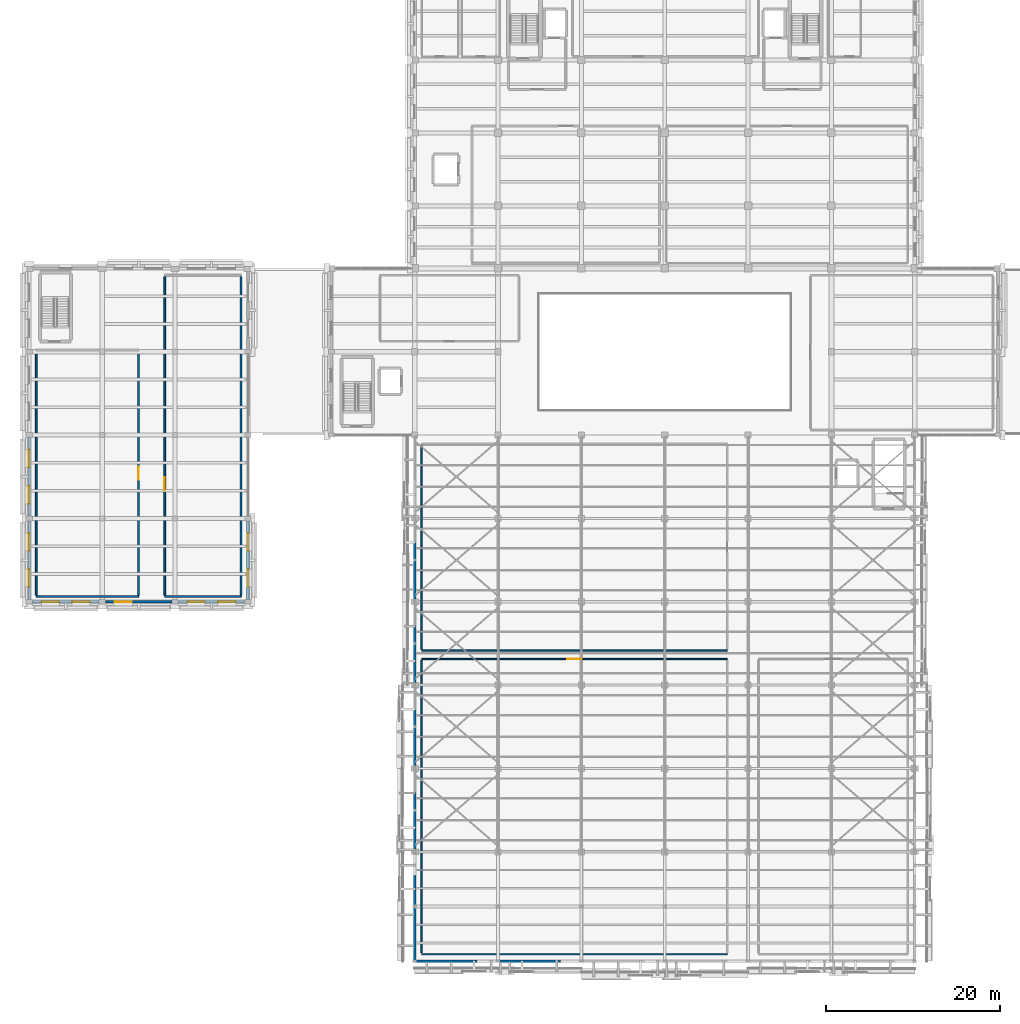
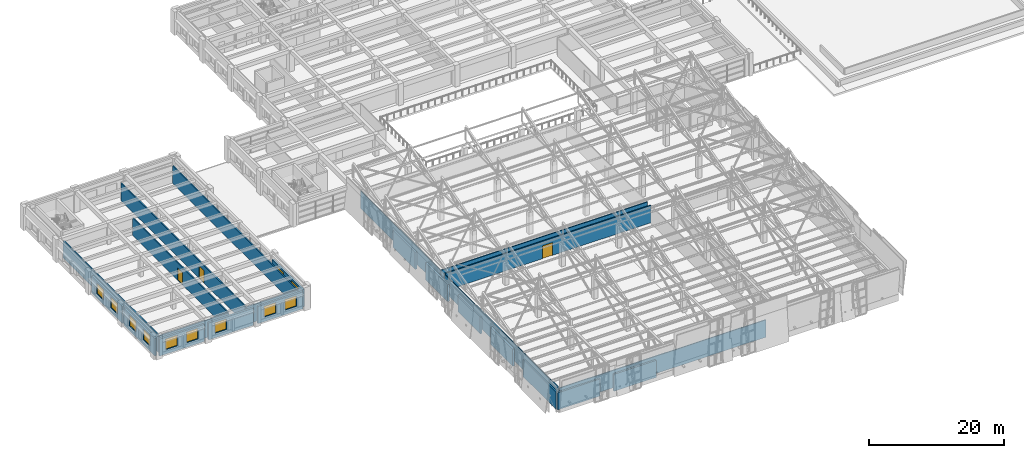
# One storey, part 55 of 71: 24 walls, 11 windows, 3 doors, 14 openings.
"""IFC4 building model written with IfcOpenShell, lengths in metres."""

from ifc_helpers import new_model, si_unit, direction, frame, frame_2d, origin, place, context, subcontext, project, spatial, rectangle, extrude, material, layer, layer_set, type_object, element, fill, save


model = new_model("IFC4")

# Units and contexts
model_context = context("Model", 3, precision=1e-05, world=origin(), true_north=direction((0.0, 1.0)))
body_context = subcontext(model_context, "Body", "Model", "MODEL_VIEW")
ifc_project = project(units=[si_unit("LENGTHUNIT", "METRE"), si_unit("AREAUNIT", "SQUARE_METRE"), si_unit("VOLUMEUNIT", "CUBIC_METRE"), si_unit("PLANEANGLEUNIT", "RADIAN"), si_unit("MASSUNIT", "GRAM", prefix="KILO")], contexts=[model_context])

# Site, building, storey
site_placement = place(None, origin())
site = spatial("IfcSite", under=ifc_project, at=site_placement, CompositionType="ELEMENT")
building_placement = place(site_placement, origin())
building = spatial("IfcBuilding", under=site, at=building_placement, Name="Bempovik Park Faculty of Sciences", CompositionType="ELEMENT")
storey_placement = place(building_placement, frame((0.0, 0.0, 14.10009765625)))
storey = spatial("IfcBuildingStorey", under=building, at=storey_placement, Name="L03", CompositionType="ELEMENT", Elevation=14.10009765625)

# Walls
ifc_material_1 = material(Name="Precast concrete C40/50", Category="concrete")
ifc_layer_1 = layer(ifc_material_1, 0.280029296875)
ifc_layer_set_1 = layer_set([ifc_layer_1], Name="Precast concrete C40/50")
wall_type_1 = type_object("IfcWallType", Name="W-25 Wall 280mm", PredefinedType="SOLIDWALL", material=ifc_layer_set_1)
wall_1_placement = place(storey_placement, frame((60.001953125, 7.199951171875, 0.0), z_axis=(0.0, 0.0, 1.0), x_axis=(1.0, 0.0, 0.0)))
element("IfcWall", 1, at=wall_1_placement, inside=storey, type_object=wall_type_1, Name="L03 Crystal Backup Wall EW-CRYS-L03-8826", PredefinedType="SOLIDWALL", context=body_context, shape_type="SweptSolid", body=[
    extrude(rectangle(XDim=7.192138671875, YDim=0.280029296875, at=frame_2d((3.59619140625, 0.0))), origin(), (0.0, 0.0, 1.0), 3.079833984375),
])
wall_2_placement = place(storey_placement, frame((69.60205078125, 7.199951171875, 0.0), z_axis=(0.0, 0.0, 1.0), x_axis=(1.0, 0.0, 0.0)))
element("IfcWall", 2, at=wall_2_placement, inside=storey, type_object=wall_type_1, Name="L03 Crystal Backup Wall EW-CRYS-L03-8851", PredefinedType="SOLIDWALL", context=body_context, shape_type="SweptSolid", body=[
    extrude(rectangle(XDim=7.19189453125, YDim=0.280029296875, at=frame_2d((3.595947265625, 0.0))), origin(), (0.0, 0.0, 1.0), 3.079833984375),
])
wall_3_placement = place(storey_placement, frame((60.0, 7.344970703125, 0.0), z_axis=(0.0, 0.0, 1.0), x_axis=(0.0, 1.0, 0.0)))
element("IfcWall", 3, at=wall_3_placement, inside=storey, type_object=wall_type_1, Name="L03 Crystal Backup Wall EW-CRYS-L03-8976", PredefinedType="SOLIDWALL", context=body_context, shape_type="SweptSolid", body=[
    extrude(rectangle(XDim=9.72412109375, YDim=0.280029296875, at=frame_2d((4.862060546875, 0.0))), origin(), (0.0, 0.0, 1.0), 3.079833984375),
])
for number, where, z_axis, x_axis, name in (
    (4, (60.0, 20.126953125, 0.0), (0.0, 0.0, 1.0), (0.0, 1.0, 0.0), "L03 Crystal Backup Wall EW-CRYS-L03-9001"),
    (5, (60.0, 29.72705078125, 0.0), (0.0, 0.0, 1.0), (0.0, 1.0, 0.0), "L03 Crystal Backup Wall EW-CRYS-L03-9026"),
    (6, (60.0, 39.326904296875, 0.0), (0.0, 0.0, 1.0), (0.0, 1.0, 0.0), "L03 Crystal Backup Wall EW-CRYS-L03-9051"),
    (7, (60.0, 48.927001953125, 0.0), (0.0, 0.0, 1.0), (0.0, 1.0, 0.0), "L03 Crystal Backup Wall EW-CRYS-L03-9076"),
):
    element("IfcWall", number, at=place(storey_placement, frame(where, z_axis=z_axis, x_axis=x_axis)), inside=storey, type_object=wall_type_1, Name=name, PredefinedType="SOLIDWALL", context=body_context, shape_type="SweptSolid", body=[
        extrude(rectangle(XDim=6.5419921875, YDim=0.280029296875, at=frame_2d((3.27099609375, 0.0))), origin(), (0.0, 0.0, 1.0), 3.079833984375),
    ])
ifc_material_2 = material(Name="Gypsum acoustic stud assembly")
ifc_layer_2 = layer(ifc_material_2, 0.14990234375)
ifc_layer_set_2 = layer_set([ifc_layer_2], Name="Gypsum acoustic stud assembly")
wall_type_2 = type_object("IfcWallType", Name="W-42 Wall 150mm", PredefinedType="PARTITIONING", material=ifc_layer_set_2)
wall_4_placement = place(storey_placement, frame((60.800048828125, 8.0, 0.0), z_axis=(0.0, 0.0, 1.0), x_axis=(1.0, 0.0, 0.0)))
element("IfcWall", 8, at=wall_4_placement, inside=storey, type_object=wall_type_2, Name="L03 North-Light Grand Science Reading Hall Partition South", PredefinedType="PARTITIONING", context=body_context, shape_type="SweptSolid", body=[
    extrude(rectangle(XDim=35.199951171875, YDim=0.14990234375, at=frame_2d((17.60009765625, 0.0))), origin(), (0.0, 0.0, 1.0), 3.14990234375),
])

# Wall, opening, door
wall_5_placement = place(storey_placement, frame((60.800048828125, 42.0, 0.0), z_axis=(0.0, 0.0, 1.0), x_axis=(1.0, 0.0, 0.0)))
wall_5 = element("IfcWall", 9, at=wall_5_placement, inside=storey, type_object=wall_type_2, Name="L03 North-Light Grand Science Reading Hall Partition North", PredefinedType="PARTITIONING", context=body_context, shape_type="SweptSolid", body=[
    extrude(rectangle(XDim=35.199951171875, YDim=0.14990234375, at=frame_2d((17.60009765625, 0.0))), origin(), (0.0, 0.0, 1.0), 3.14990234375),
])
opening_1_placement = place(wall_5_placement, frame((16.75, 0.0, 0.0)))
opening_1 = element("IfcOpeningElement", 10, at=opening_1_placement, cuts=wall_5, Name="Opening D-40", PredefinedType="OPENING", context=body_context, shape_type="SweptSolid", body=[
    extrude(rectangle(XDim=1.699951171875, YDim=2.300048828125, at=frame_2d((0.85009765625, 1.14990234375))), frame((0.0, 0.0849609375, 0.0), z_axis=(0.0, -1.0, 0.0), x_axis=(1.0, 0.0, 0.0)), (0.0, 0.0, 1.0), 0.169921875),
])
ifc_material_3 = material(Name="Anodised architectural bronze")
door_type_1 = type_object("IfcDoorType", Name="D-40 Door 1700x2300", OperationType="NOTDEFINED", PredefinedType="DOOR", material=ifc_material_3)
door_1_placement = place(opening_1_placement, origin())
door_1 = element("IfcDoor", 11, at=door_1_placement, inside=storey, type_object=door_type_1, Name="L03 North-Light Grand Science Reading Hall Door", OperationType="DOUBLE_DOOR_SINGLE_SWING", OverallHeight=2.300048828125, OverallWidth=1.699951171875, PredefinedType="DOOR", context=body_context, shape_type="SweptSolid", body=[
    extrude(rectangle(XDim=1.699951171875, YDim=2.300048828125, at=frame_2d((0.85009765625, 1.14990234375))), frame((0.0, 0.02490234375, 0.0), z_axis=(0.0, -1.0, 0.0), x_axis=(1.0, 0.0, 0.0)), (0.0, 0.0, 1.0), 0.050048828125),
])
fill(opening_1, door_1)

# Walls
wall_6_placement = place(storey_placement, frame((60.800048828125, 8.159912109375, 0.0), z_axis=(0.0, 0.0, 1.0), x_axis=(0.0, 1.0, 0.0)))
element("IfcWall", 12, at=wall_6_placement, inside=storey, type_object=wall_type_2, Name="L03 North-Light Grand Science Reading Hall Partition West", PredefinedType="PARTITIONING", context=body_context, shape_type="SweptSolid", body=[
    extrude(rectangle(XDim=33.68017578125, YDim=0.14990234375, at=frame_2d((16.840087890625, 0.0))), origin(), (0.0, 0.0, 1.0), 3.14990234375),
])
wall_7_placement = place(storey_placement, frame((60.800048828125, 43.0, 0.0), z_axis=(0.0, 0.0, 1.0), x_axis=(1.0, 0.0, 0.0)))
element("IfcWall", 13, at=wall_7_placement, inside=storey, type_object=wall_type_2, Name="L03 Interdisciplinary Research Seminar Hall Partition South", PredefinedType="PARTITIONING", context=body_context, shape_type="SweptSolid", body=[
    extrude(rectangle(XDim=35.199951171875, YDim=0.14990234375, at=frame_2d((17.60009765625, 0.0))), origin(), (0.0, 0.0, 1.0), 3.14990234375),
])
wall_8_placement = place(storey_placement, frame((60.800048828125, 43.159912109375, 0.0), z_axis=(0.0, 0.0, 1.0), x_axis=(0.0, 1.0, 0.0)))
element("IfcWall", 14, at=wall_8_placement, inside=storey, type_object=wall_type_2, Name="L03 Interdisciplinary Research Seminar Hall Partition West", PredefinedType="PARTITIONING", context=body_context, shape_type="SweptSolid", body=[
    extrude(rectangle(XDim=23.47998046875, YDim=0.14990234375, at=frame_2d((11.739990234375, 0.0))), origin(), (0.0, 0.0, 1.0), 3.14990234375),
])

# Wall, openings, windows
ifc_layer_3 = layer(ifc_material_1, 0.320068359375)
ifc_layer_set_3 = layer_set([ifc_layer_3], Name="Precast concrete C40/50")
wall_type_3 = type_object("IfcWallType", Name="W-56 Wall 320mm", PredefinedType="SOLIDWALL", material=ifc_layer_set_3)
wall_9_placement = place(storey_placement, frame((40.800048828125, 48.8720703125, 0.0), z_axis=(0.0, 0.0, 1.0), x_axis=(0.0, 1.0, 0.0)))
wall_9 = element("IfcWall", 15, at=wall_9_placement, inside=storey, type_object=wall_type_3, Name="L03 Classical Precast Facade Wall EW-L03-9157", PredefinedType="SOLIDWALL", context=body_context, shape_type="SweptSolid", body=[
    extrude(rectangle(XDim=9.055908203125, YDim=0.320068359375, at=frame_2d((4.52783203125, 0.0))), origin(), (0.0, 0.0, 1.0), 3.079833984375),
])
opening_2_placement = place(wall_9_placement, frame((1.445068359375, 0.0, 0.85009765625)))
opening_2 = element("IfcOpeningElement", 16, at=opening_2_placement, cuts=wall_9, Name="Opening WN-68", PredefinedType="OPENING", context=body_context, shape_type="SweptSolid", body=[
    extrude(rectangle(XDim=2.0, YDim=1.89990234375, at=frame_2d((1.0, 0.949951171875))), frame((0.0, 0.169921875, 0.0), z_axis=(0.0, -1.0, 0.0), x_axis=(1.0, 0.0, 0.0)), (0.0, 0.0, 1.0), 0.340087890625),
])
opening_3_placement = place(wall_9_placement, frame((5.61083984375, 0.0, 0.85009765625)))
opening_3 = element("IfcOpeningElement", 17, at=opening_3_placement, cuts=wall_9, Name="Opening WN-68", PredefinedType="OPENING", context=body_context, shape_type="SweptSolid", body=[
    extrude(rectangle(XDim=2.0, YDim=1.89990234375, at=frame_2d((1.0, 0.949951171875))), frame((0.0, 0.169921875, 0.0), z_axis=(0.0, -1.0, 0.0), x_axis=(1.0, 0.0, 0.0)), (0.0, 0.0, 1.0), 0.340087890625),
])
ifc_material_4 = material(Name="Tempered laminated low-E glass", Category="glass")
window_type = type_object("IfcWindowType", Name="WN-68 Window 2000x1900", PartitioningType="SINGLE_PANEL", PredefinedType="WINDOW", material=ifc_material_4)
window_1_placement = place(opening_2_placement, origin())
window_1 = element("IfcWindow", 18, at=window_1_placement, inside=storey, type_object=window_type, Name="L03 Window EW-L03-9157-1", OverallHeight=1.89990234375, OverallWidth=2.0, PartitioningType="SINGLE_PANEL", PredefinedType="WINDOW", context=body_context, shape_type="SweptSolid", body=[
    extrude(rectangle(XDim=2.0, YDim=1.89990234375, at=frame_2d((1.0, 0.949951171875))), frame((0.0, 0.030029296875, 0.0), z_axis=(0.0, -1.0, 0.0), x_axis=(1.0, 0.0, 0.0)), (0.0, 0.0, 1.0), 0.06005859375),
])
fill(opening_2, window_1)
window_2_placement = place(opening_3_placement, origin())
window_2 = element("IfcWindow", 19, at=window_2_placement, inside=storey, type_object=window_type, Name="L03 Window EW-L03-9157-2", OverallHeight=1.89990234375, OverallWidth=2.0, PartitioningType="SINGLE_PANEL", PredefinedType="WINDOW", context=body_context, shape_type="SweptSolid", body=[
    extrude(rectangle(XDim=2.0, YDim=1.89990234375, at=frame_2d((1.0, 0.949951171875))), frame((0.0, 0.030029296875, 0.0), z_axis=(0.0, -1.0, 0.0), x_axis=(1.0, 0.0, 0.0)), (0.0, 0.0, 1.0), 0.06005859375),
])
fill(opening_3, window_2)

wall_10_placement = place(storey_placement, frame((15.9619140625, 48.60009765625, 0.0), z_axis=(0.0, 0.0, 1.0), x_axis=(1.0, 0.0, 0.0)))
wall_10 = element("IfcWall", 20, at=wall_10_placement, inside=storey, type_object=wall_type_3, Name="L03 Classical Precast Facade Wall EW-L03-9219", PredefinedType="SOLIDWALL", context=body_context, shape_type="SweptSolid", body=[
    extrude(rectangle(XDim=7.676025390625, YDim=0.320068359375, at=frame_2d((3.837890625, 0.0))), origin(), (0.0, 0.0, 1.0), 3.079833984375),
])
opening_4_placement = place(wall_10_placement, frame((1.072509765625, 0.0, 0.85009765625)))
opening_4 = element("IfcOpeningElement", 21, at=opening_4_placement, cuts=wall_10, Name="Opening WN-68", PredefinedType="OPENING", context=body_context, shape_type="SweptSolid", body=[
    extrude(rectangle(XDim=2.0, YDim=1.89990234375, at=frame_2d((1.0, 0.949951171875))), frame((0.0, 0.169921875, 0.0), z_axis=(0.0, -1.0, 0.0), x_axis=(1.0, 0.0, 0.0)), (0.0, 0.0, 1.0), 0.340087890625),
])
opening_5_placement = place(wall_10_placement, frame((4.603515625, 0.0, 0.85009765625)))
opening_5 = element("IfcOpeningElement", 22, at=opening_5_placement, cuts=wall_10, Name="Opening WN-68", PredefinedType="OPENING", context=body_context, shape_type="SweptSolid", body=[
    extrude(rectangle(XDim=2.0, YDim=1.89990234375, at=frame_2d((1.0, 0.949951171875))), frame((0.0, 0.169921875, 0.0), z_axis=(0.0, -1.0, 0.0), x_axis=(1.0, 0.0, 0.0)), (0.0, 0.0, 1.0), 0.340087890625),
])
window_3_placement = place(opening_4_placement, origin())
window_3 = element("IfcWindow", 23, at=window_3_placement, inside=storey, type_object=window_type, Name="L03 Window EW-L03-9219-1", OverallHeight=1.89990234375, OverallWidth=2.0, PartitioningType="SINGLE_PANEL", PredefinedType="WINDOW", context=body_context, shape_type="SweptSolid", body=[
    extrude(rectangle(XDim=2.0, YDim=1.89990234375, at=frame_2d((1.0, 0.949951171875))), frame((0.0, 0.030029296875, 0.0), z_axis=(0.0, -1.0, 0.0), x_axis=(1.0, 0.0, 0.0)), (0.0, 0.0, 1.0), 0.06005859375),
])
fill(opening_4, window_3)
window_4_placement = place(opening_5_placement, origin())
window_4 = element("IfcWindow", 24, at=window_4_placement, inside=storey, type_object=window_type, Name="L03 Window EW-L03-9219-2", OverallHeight=1.89990234375, OverallWidth=2.0, PartitioningType="SINGLE_PANEL", PredefinedType="WINDOW", context=body_context, shape_type="SweptSolid", body=[
    extrude(rectangle(XDim=2.0, YDim=1.89990234375, at=frame_2d((1.0, 0.949951171875))), frame((0.0, 0.030029296875, 0.0), z_axis=(0.0, -1.0, 0.0), x_axis=(1.0, 0.0, 0.0)), (0.0, 0.0, 1.0), 0.06005859375),
])
fill(opening_5, window_4)

# Wall, opening, window
wall_11_placement = place(storey_placement, frame((24.362060546875, 48.60009765625, 0.0), z_axis=(0.0, 0.0, 1.0), x_axis=(1.0, 0.0, 0.0)))
wall_11 = element("IfcWall", 25, at=wall_11_placement, inside=storey, type_object=wall_type_3, Name="L03 Classical Precast Facade Wall EW-L03-9232", PredefinedType="SOLIDWALL", context=body_context, shape_type="SweptSolid", body=[
    extrude(rectangle(XDim=7.676025390625, YDim=0.320068359375, at=frame_2d((3.837890625, 0.0))), origin(), (0.0, 0.0, 1.0), 3.079833984375),
])
opening_6_placement = place(wall_11_placement, frame((1.072509765625, 0.0, 0.85009765625)))
opening_6 = element("IfcOpeningElement", 26, at=opening_6_placement, cuts=wall_11, Name="Opening WN-68", PredefinedType="OPENING", context=body_context, shape_type="SweptSolid", body=[
    extrude(rectangle(XDim=2.0, YDim=1.89990234375, at=frame_2d((1.0, 0.949951171875))), frame((0.0, 0.169921875, 0.0), z_axis=(0.0, -1.0, 0.0), x_axis=(1.0, 0.0, 0.0)), (0.0, 0.0, 1.0), 0.340087890625),
])
window_5_placement = place(opening_6_placement, origin())
window_5 = element("IfcWindow", 27, at=window_5_placement, inside=storey, type_object=window_type, Name="L03 Window EW-L03-9232-1", OverallHeight=1.89990234375, OverallWidth=2.0, PartitioningType="SINGLE_PANEL", PredefinedType="WINDOW", context=body_context, shape_type="SweptSolid", body=[
    extrude(rectangle(XDim=2.0, YDim=1.89990234375, at=frame_2d((1.0, 0.949951171875))), frame((0.0, 0.030029296875, 0.0), z_axis=(0.0, -1.0, 0.0), x_axis=(1.0, 0.0, 0.0)), (0.0, 0.0, 1.0), 0.06005859375),
])
fill(opening_6, window_5)

# Wall, openings, windows
wall_12_placement = place(storey_placement, frame((32.761962890625, 48.60009765625, 0.0), z_axis=(0.0, 0.0, 1.0), x_axis=(1.0, 0.0, 0.0)))
wall_12 = element("IfcWall", 28, at=wall_12_placement, inside=storey, type_object=wall_type_3, Name="L03 Classical Precast Facade Wall EW-L03-9242", PredefinedType="SOLIDWALL", context=body_context, shape_type="SweptSolid", body=[
    extrude(rectangle(XDim=7.676025390625, YDim=0.320068359375, at=frame_2d((3.837890625, 0.0))), origin(), (0.0, 0.0, 1.0), 3.079833984375),
])
opening_7_placement = place(wall_12_placement, frame((1.072509765625, 0.0, 0.85009765625)))
opening_7 = element("IfcOpeningElement", 29, at=opening_7_placement, cuts=wall_12, Name="Opening WN-68", PredefinedType="OPENING", context=body_context, shape_type="SweptSolid", body=[
    extrude(rectangle(XDim=2.0, YDim=1.89990234375, at=frame_2d((1.0, 0.949951171875))), frame((0.0, 0.169921875, 0.0), z_axis=(0.0, -1.0, 0.0), x_axis=(1.0, 0.0, 0.0)), (0.0, 0.0, 1.0), 0.340087890625),
])
opening_8_placement = place(wall_12_placement, frame((4.603515625, 0.0, 0.85009765625)))
opening_8 = element("IfcOpeningElement", 30, at=opening_8_placement, cuts=wall_12, Name="Opening WN-68", PredefinedType="OPENING", context=body_context, shape_type="SweptSolid", body=[
    extrude(rectangle(XDim=2.0, YDim=1.89990234375, at=frame_2d((1.0, 0.949951171875))), frame((0.0, 0.169921875, 0.0), z_axis=(0.0, -1.0, 0.0), x_axis=(1.0, 0.0, 0.0)), (0.0, 0.0, 1.0), 0.340087890625),
])
window_6_placement = place(opening_7_placement, origin())
window_6 = element("IfcWindow", 31, at=window_6_placement, inside=storey, type_object=window_type, Name="L03 Window EW-L03-9242-1", OverallHeight=1.89990234375, OverallWidth=2.0, PartitioningType="SINGLE_PANEL", PredefinedType="WINDOW", context=body_context, shape_type="SweptSolid", body=[
    extrude(rectangle(XDim=2.0, YDim=1.89990234375, at=frame_2d((1.0, 0.949951171875))), frame((0.0, 0.030029296875, 0.0), z_axis=(0.0, -1.0, 0.0), x_axis=(1.0, 0.0, 0.0)), (0.0, 0.0, 1.0), 0.06005859375),
])
fill(opening_7, window_6)
window_7_placement = place(opening_8_placement, origin())
window_7 = element("IfcWindow", 32, at=window_7_placement, inside=storey, type_object=window_type, Name="L03 Window EW-L03-9242-2", OverallHeight=1.89990234375, OverallWidth=2.0, PartitioningType="SINGLE_PANEL", PredefinedType="WINDOW", context=body_context, shape_type="SweptSolid", body=[
    extrude(rectangle(XDim=2.0, YDim=1.89990234375, at=frame_2d((1.0, 0.949951171875))), frame((0.0, 0.030029296875, 0.0), z_axis=(0.0, -1.0, 0.0), x_axis=(1.0, 0.0, 0.0)), (0.0, 0.0, 1.0), 0.06005859375),
])
fill(opening_8, window_7)

wall_13_placement = place(storey_placement, frame((15.60009765625, 48.8720703125, 0.0), z_axis=(0.0, 0.0, 1.0), x_axis=(0.0, 1.0, 0.0)))
wall_13 = element("IfcWall", 33, at=wall_13_placement, inside=storey, type_object=wall_type_3, Name="L03 Classical Precast Facade Wall EW-L03-9254", PredefinedType="SOLIDWALL", context=body_context, shape_type="SweptSolid", body=[
    extrude(rectangle(XDim=9.055908203125, YDim=0.320068359375, at=frame_2d((4.52783203125, 0.0))), origin(), (0.0, 0.0, 1.0), 3.079833984375),
])
opening_9_placement = place(wall_13_placement, frame((1.445068359375, 0.0, 0.85009765625)))
opening_9 = element("IfcOpeningElement", 34, at=opening_9_placement, cuts=wall_13, Name="Opening WN-68", PredefinedType="OPENING", context=body_context, shape_type="SweptSolid", body=[
    extrude(rectangle(XDim=2.0, YDim=1.89990234375, at=frame_2d((1.0, 0.949951171875))), frame((0.0, 0.169921875, 0.0), z_axis=(0.0, -1.0, 0.0), x_axis=(1.0, 0.0, 0.0)), (0.0, 0.0, 1.0), 0.340087890625),
])
opening_10_placement = place(wall_13_placement, frame((5.61083984375, 0.0, 0.85009765625)))
opening_10 = element("IfcOpeningElement", 35, at=opening_10_placement, cuts=wall_13, Name="Opening WN-68", PredefinedType="OPENING", context=body_context, shape_type="SweptSolid", body=[
    extrude(rectangle(XDim=2.0, YDim=1.89990234375, at=frame_2d((1.0, 0.949951171875))), frame((0.0, 0.169921875, 0.0), z_axis=(0.0, -1.0, 0.0), x_axis=(1.0, 0.0, 0.0)), (0.0, 0.0, 1.0), 0.340087890625),
])
window_8_placement = place(opening_9_placement, origin())
window_8 = element("IfcWindow", 36, at=window_8_placement, inside=storey, type_object=window_type, Name="L03 Window EW-L03-9254-1", OverallHeight=1.89990234375, OverallWidth=2.0, PartitioningType="SINGLE_PANEL", PredefinedType="WINDOW", context=body_context, shape_type="SweptSolid", body=[
    extrude(rectangle(XDim=2.0, YDim=1.89990234375, at=frame_2d((1.0, 0.949951171875))), frame((0.0, 0.030029296875, 0.0), z_axis=(0.0, -1.0, 0.0), x_axis=(1.0, 0.0, 0.0)), (0.0, 0.0, 1.0), 0.06005859375),
])
fill(opening_9, window_8)
window_9_placement = place(opening_10_placement, origin())
window_9 = element("IfcWindow", 37, at=window_9_placement, inside=storey, type_object=window_type, Name="L03 Window EW-L03-9254-2", OverallHeight=1.89990234375, OverallWidth=2.0, PartitioningType="SINGLE_PANEL", PredefinedType="WINDOW", context=body_context, shape_type="SweptSolid", body=[
    extrude(rectangle(XDim=2.0, YDim=1.89990234375, at=frame_2d((1.0, 0.949951171875))), frame((0.0, 0.030029296875, 0.0), z_axis=(0.0, -1.0, 0.0), x_axis=(1.0, 0.0, 0.0)), (0.0, 0.0, 1.0), 0.06005859375),
])
fill(opening_10, window_9)

wall_14_placement = place(storey_placement, frame((15.60009765625, 58.471923828125, 0.0), z_axis=(0.0, 0.0, 1.0), x_axis=(0.0, 1.0, 0.0)))
wall_14 = element("IfcWall", 38, at=wall_14_placement, inside=storey, type_object=wall_type_3, Name="L03 Classical Precast Facade Wall EW-L03-9267", PredefinedType="SOLIDWALL", context=body_context, shape_type="SweptSolid", body=[
    extrude(rectangle(XDim=9.05615234375, YDim=0.320068359375, at=frame_2d((4.528076171875, 0.0))), origin(), (0.0, 0.0, 1.0), 3.079833984375),
])
opening_11_placement = place(wall_14_placement, frame((1.445068359375, 0.0, 0.85009765625)))
opening_11 = element("IfcOpeningElement", 39, at=opening_11_placement, cuts=wall_14, Name="Opening WN-68", PredefinedType="OPENING", context=body_context, shape_type="SweptSolid", body=[
    extrude(rectangle(XDim=2.0, YDim=1.89990234375, at=frame_2d((1.0, 0.949951171875))), frame((0.0, 0.169921875, 0.0), z_axis=(0.0, -1.0, 0.0), x_axis=(1.0, 0.0, 0.0)), (0.0, 0.0, 1.0), 0.340087890625),
])
opening_12_placement = place(wall_14_placement, frame((5.61083984375, 0.0, 0.85009765625)))
opening_12 = element("IfcOpeningElement", 40, at=opening_12_placement, cuts=wall_14, Name="Opening WN-68", PredefinedType="OPENING", context=body_context, shape_type="SweptSolid", body=[
    extrude(rectangle(XDim=2.0, YDim=1.89990234375, at=frame_2d((1.0, 0.949951171875))), frame((0.0, 0.169921875, 0.0), z_axis=(0.0, -1.0, 0.0), x_axis=(1.0, 0.0, 0.0)), (0.0, 0.0, 1.0), 0.340087890625),
])
window_10_placement = place(opening_11_placement, origin())
window_10 = element("IfcWindow", 41, at=window_10_placement, inside=storey, type_object=window_type, Name="L03 Window EW-L03-9267-1", OverallHeight=1.89990234375, OverallWidth=2.0, PartitioningType="SINGLE_PANEL", PredefinedType="WINDOW", context=body_context, shape_type="SweptSolid", body=[
    extrude(rectangle(XDim=2.0, YDim=1.89990234375, at=frame_2d((1.0, 0.949951171875))), frame((0.0, 0.030029296875, 0.0), z_axis=(0.0, -1.0, 0.0), x_axis=(1.0, 0.0, 0.0)), (0.0, 0.0, 1.0), 0.06005859375),
])
fill(opening_11, window_10)
window_11_placement = place(opening_12_placement, origin())
window_11 = element("IfcWindow", 42, at=window_11_placement, inside=storey, type_object=window_type, Name="L03 Window EW-L03-9267-2", OverallHeight=1.89990234375, OverallWidth=2.0, PartitioningType="SINGLE_PANEL", PredefinedType="WINDOW", context=body_context, shape_type="SweptSolid", body=[
    extrude(rectangle(XDim=2.0, YDim=1.89990234375, at=frame_2d((1.0, 0.949951171875))), frame((0.0, 0.030029296875, 0.0), z_axis=(0.0, -1.0, 0.0), x_axis=(1.0, 0.0, 0.0)), (0.0, 0.0, 1.0), 0.06005859375),
])
fill(opening_12, window_11)

# Walls
ifc_material_5 = material(Name="Concrete C35/45", Category="concrete")
ifc_layer_4 = layer(ifc_material_5, 0.199951171875)
ifc_layer_set_4 = layer_set([ifc_layer_4], Name="Concrete C35/45")
wall_type_4 = type_object("IfcWallType", Name="W-59 Wall 200mm", PredefinedType="PARTITIONING", material=ifc_layer_set_4)
wall_15_placement = place(storey_placement, frame((16.39990234375, 49.199951171875, 0.0), z_axis=(0.0, 0.0, 1.0), x_axis=(1.0, 0.0, 0.0)))
element("IfcWall", 43, at=wall_15_placement, inside=storey, type_object=wall_type_4, Name="L03 Environmental Science Teaching Laboratory Partition South", PredefinedType="PARTITIONING", context=body_context, shape_type="SweptSolid", body=[
    extrude(rectangle(XDim=11.800048828125, YDim=0.199951171875, at=frame_2d((5.89990234375, 0.0))), origin(), (0.0, 0.0, 1.0), 3.14990234375),
])
wall_16_placement = place(storey_placement, frame((16.39990234375, 49.360107421875, 0.0), z_axis=(0.0, 0.0, 1.0), x_axis=(0.0, 1.0, 0.0)))
element("IfcWall", 44, at=wall_16_placement, inside=storey, type_object=wall_type_4, Name="L03 Environmental Science Teaching Laboratory Partition West", PredefinedType="PARTITIONING", context=body_context, shape_type="SweptSolid", body=[
    extrude(rectangle(XDim=28.079833984375, YDim=0.199951171875, at=frame_2d((14.0400390625, 0.0))), origin(), (0.0, 0.0, 1.0), 3.14990234375),
])

# Wall, opening, door
wall_17_placement = place(storey_placement, frame((28.199951171875, 49.360107421875, 0.0), z_axis=(0.0, 0.0, 1.0), x_axis=(0.0, 1.0, 0.0)))
wall_17 = element("IfcWall", 45, at=wall_17_placement, inside=storey, type_object=wall_type_4, Name="L03 Environmental Science Teaching Laboratory Partition East", PredefinedType="PARTITIONING", context=body_context, shape_type="SweptSolid", body=[
    extrude(rectangle(XDim=28.079833984375, YDim=0.199951171875, at=frame_2d((14.0400390625, 0.0))), origin(), (0.0, 0.0, 1.0), 3.14990234375),
])
opening_13_placement = place(wall_17_placement, frame((13.2900390625, 0.0, 0.0)))
opening_13 = element("IfcOpeningElement", 46, at=opening_13_placement, cuts=wall_17, Name="Opening D-22", PredefinedType="OPENING", context=body_context, shape_type="SweptSolid", body=[
    extrude(rectangle(XDim=1.5, YDim=2.199951171875, at=frame_2d((0.75, 1.10009765625))), frame((0.0, 0.10986328125, 0.0), z_axis=(0.0, -1.0, 0.0), x_axis=(1.0, 0.0, 0.0)), (0.0, 0.0, 1.0), 0.219970703125),
])
ifc_material_6 = material(Name="West African hardwood finish", Category="wood")
door_type_2 = type_object("IfcDoorType", Name="D-22 Door 1500x2200", OperationType="NOTDEFINED", PredefinedType="DOOR", material=ifc_material_6)
door_2_placement = place(opening_13_placement, origin())
door_2 = element("IfcDoor", 47, at=door_2_placement, inside=storey, type_object=door_type_2, Name="L03 Environmental Science Teaching Laboratory Door", OperationType="SINGLE_SWING_LEFT", OverallHeight=2.199951171875, OverallWidth=1.5, PredefinedType="DOOR", context=body_context, shape_type="SweptSolid", body=[
    extrude(rectangle(XDim=1.5, YDim=2.199951171875, at=frame_2d((0.75, 1.10009765625))), frame((0.0, 0.02490234375, 0.0), z_axis=(0.0, -1.0, 0.0), x_axis=(1.0, 0.0, 0.0)), (0.0, 0.0, 1.0), 0.050048828125),
])
fill(opening_13, door_2)

# Wall
wall_18_placement = place(storey_placement, frame((31.199951171875, 49.199951171875, 0.0), z_axis=(0.0, 0.0, 1.0), x_axis=(1.0, 0.0, 0.0)))
element("IfcWall", 48, at=wall_18_placement, inside=storey, type_object=wall_type_4, Name="L03 Marine Ecology Wet Laboratory Partition South", PredefinedType="PARTITIONING", context=body_context, shape_type="SweptSolid", body=[
    extrude(rectangle(XDim=8.800048828125, YDim=0.199951171875, at=frame_2d((4.39990234375, 0.0))), origin(), (0.0, 0.0, 1.0), 3.14990234375),
])

# Wall, opening, door
wall_19_placement = place(storey_placement, frame((31.199951171875, 49.360107421875, 0.0), z_axis=(0.0, 0.0, 1.0), x_axis=(0.0, 1.0, 0.0)))
wall_19 = element("IfcWall", 49, at=wall_19_placement, inside=storey, type_object=wall_type_4, Name="L03 Marine Ecology Wet Laboratory Partition West", PredefinedType="PARTITIONING", context=body_context, shape_type="SweptSolid", body=[
    extrude(rectangle(XDim=36.679931640625, YDim=0.199951171875, at=frame_2d((18.33984375, 0.0))), origin(), (0.0, 0.0, 1.0), 3.14990234375),
])
opening_14_placement = place(wall_19_placement, frame((12.087890625, 0.0, 0.0)))
opening_14 = element("IfcOpeningElement", 50, at=opening_14_placement, cuts=wall_19, Name="Opening D-22", PredefinedType="OPENING", context=body_context, shape_type="SweptSolid", body=[
    extrude(rectangle(XDim=1.5, YDim=2.199951171875, at=frame_2d((0.75, 1.10009765625))), frame((0.0, 0.10986328125, 0.0), z_axis=(0.0, -1.0, 0.0), x_axis=(1.0, 0.0, 0.0)), (0.0, 0.0, 1.0), 0.219970703125),
])
door_3_placement = place(opening_14_placement, origin())
door_3 = element("IfcDoor", 51, at=door_3_placement, inside=storey, type_object=door_type_2, Name="L03 Marine Ecology Wet Laboratory Door", OperationType="SINGLE_SWING_RIGHT", OverallHeight=2.199951171875, OverallWidth=1.5, PredefinedType="DOOR", context=body_context, shape_type="SweptSolid", body=[
    extrude(rectangle(XDim=1.5, YDim=2.199951171875, at=frame_2d((0.75, 1.10009765625))), frame((0.0, 0.02490234375, 0.0), z_axis=(0.0, -1.0, 0.0), x_axis=(1.0, 0.0, 0.0)), (0.0, 0.0, 1.0), 0.050048828125),
])
fill(opening_14, door_3)

# Wall
wall_20_placement = place(storey_placement, frame((40.0, 49.360107421875, 0.0), z_axis=(0.0, 0.0, 1.0), x_axis=(0.0, 1.0, 0.0)))
element("IfcWall", 52, at=wall_20_placement, inside=storey, type_object=wall_type_4, Name="L03 Marine Ecology Wet Laboratory Partition East", PredefinedType="PARTITIONING", context=body_context, shape_type="SweptSolid", body=[
    extrude(rectangle(XDim=36.679931640625, YDim=0.199951171875, at=frame_2d((18.33984375, 0.0))), origin(), (0.0, 0.0, 1.0), 3.14990234375),
])

save(model, "model.ifc")
